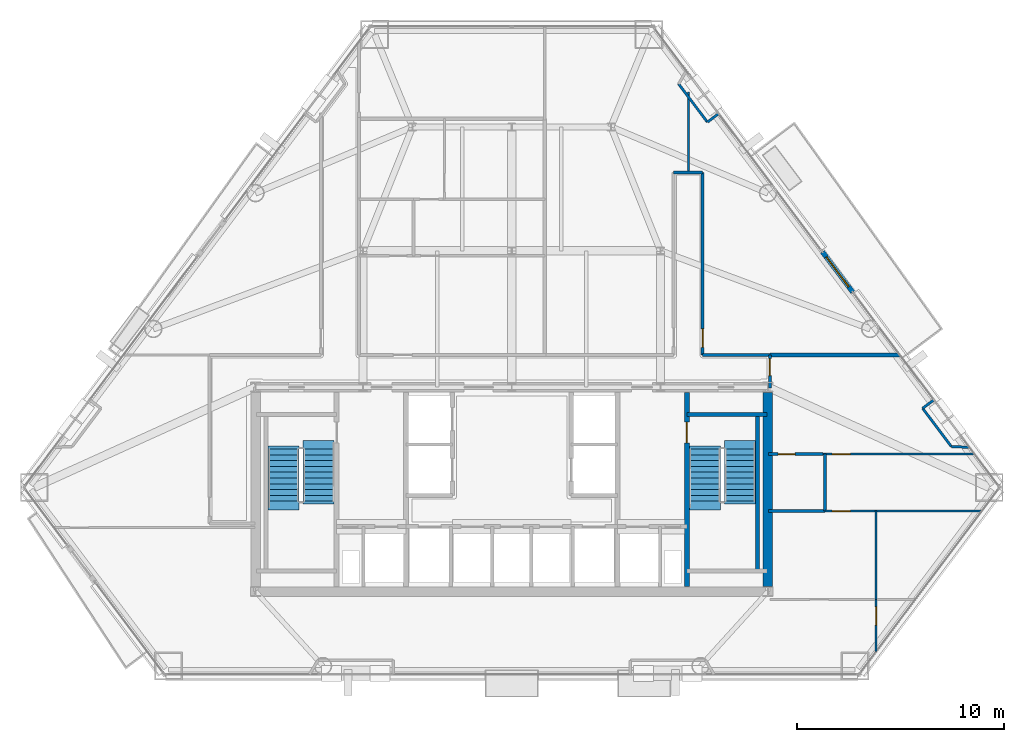
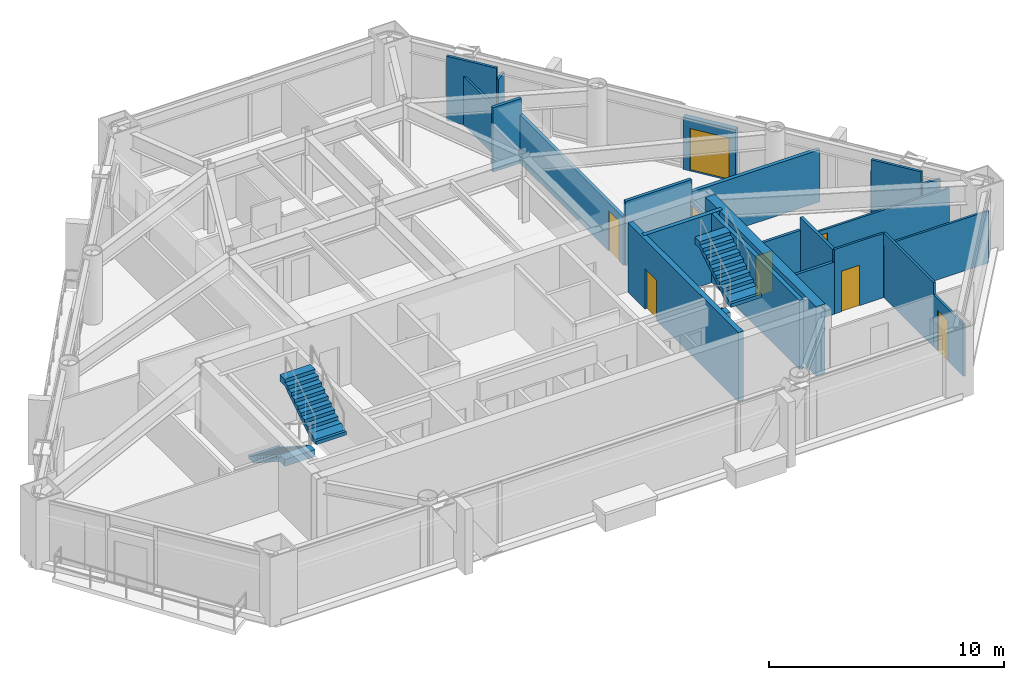
# One storey, part 8 of 10: 24 walls, 8 doors, 4 stair flights, 8 openings, 2 elements without a shape of their own.
"""IFC4 building model written with IfcOpenShell, lengths in metres."""

from ifc_helpers import new_model, si_unit, direction, frame, frame_2d, origin, place, context, subcontext, project, spatial, polyline, rectangle, outline, extrude, material, layer, layer_set, type_object, element, fill, aggregate, save


model = new_model("IFC4")

# Units and contexts
model_context = context("Model", 3, precision=1e-05, world=origin(), true_north=direction((0.0, 1.0)))
body_context = subcontext(model_context, "Body", "Model", "MODEL_VIEW")
ifc_project = project(units=[si_unit("LENGTHUNIT", "METRE"), si_unit("AREAUNIT", "SQUARE_METRE"), si_unit("VOLUMEUNIT", "CUBIC_METRE"), si_unit("PLANEANGLEUNIT", "RADIAN"), si_unit("MASSUNIT", "GRAM", prefix="KILO")], contexts=[model_context])

# Site, building, storey
site_placement = place(None, origin())
site = spatial("IfcSite", under=ifc_project, at=site_placement, CompositionType="ELEMENT")
building_placement = place(site_placement, origin())
building = spatial("IfcBuilding", under=site, at=building_placement, Name="Talgorran Terracotta Tower", CompositionType="ELEMENT")
storey_placement = place(building_placement, frame((0.0, 0.0, 82.800048828125)))
storey = spatial("IfcBuildingStorey", under=building, at=storey_placement, Name="L21", CompositionType="ELEMENT", Elevation=82.800048828125)

# Wall, opening, door
ifc_material_1 = material(Name="Concrete C40/50", Category="concrete")
ifc_layer_1 = layer(ifc_material_1, 0.239990234375, Name="WT_BALCONY_SPAND")
ifc_layer_set_1 = layer_set([ifc_layer_1], Name="Concrete C40/50")
wall_type_1 = type_object("IfcWallType", Name="WT_BALCONY_SPAND", PredefinedType="STANDARD", material=ifc_layer_set_1)
wall_1_placement = place(storey_placement, frame((16.5078125, 0.4052734375, -0.01513671875), z_axis=(0.0, 0.0, 1.0), x_axis=(-0.601008208177, 0.799242850268, 0.0)))
wall_1 = element("IfcWall", 1, at=wall_1_placement, inside=storey, type_object=wall_type_1, Name="WL-L21-BALP-BAL-NE", PredefinedType="STANDARD", context=body_context, shape_type="SweptSolid", body=[
    extrude(rectangle(XDim=2.439697265625, YDim=0.239990234375, at=frame_2d((1.2197265625, 0.0))), origin(), (0.0, 0.0, 1.0), 2.728515625),
])
opening_1_placement = place(wall_1_placement, frame((0.320068359375, 0.0, 0.014892578125)))
opening_1 = element("IfcOpeningElement", 2, at=opening_1_placement, cuts=wall_1, Name="Opening D-BAL-L21-1", PredefinedType="OPENING", context=body_context, shape_type="SweptSolid", body=[
    extrude(rectangle(XDim=1.806048828125, YDim=2.203951171875, at=frame_2d((0.89990234375, 1.10205078125))), frame((0.0, 0.1298828125, 0.0), z_axis=(0.0, -1.0, 0.0), x_axis=(1.0, 0.0, 0.0)), (0.0, 0.0, 1.0), 0.260009765625),
])
ifc_material_2 = material(Name="Thermally Broken Aluminium", Category="aluminium")
door_type_1 = type_object("IfcDoorType", Name="DT_BALC_1800", OperationType="SLIDING_TO_LEFT", PredefinedType="DOOR", material=ifc_material_2)
door_1_placement = place(opening_1_placement, origin())
door_1 = element("IfcDoor", 3, at=door_1_placement, inside=storey, type_object=door_type_1, Name="DR-L21-BAL-BAL-NE", OperationType="SLIDING_TO_LEFT", OverallHeight=2.199951171875, OverallWidth=1.800048828125, PredefinedType="DOOR", context=body_context, shape_type="SweptSolid", body=[
    extrude(rectangle(XDim=1.800048828125, YDim=2.199951171875, at=frame_2d((0.89990234375, 1.10009765625))), frame((0.0, 0.02490234375, 0.0), z_axis=(0.0, -1.0, 0.0), x_axis=(1.0, 0.0, 0.0)), (0.0, 0.0, 1.0), 0.050048828125),
])
fill(opening_1, door_1)

# Walls
ifc_material_3 = material(Name="Concrete C50/60", Category="concrete")
ifc_layer_2 = layer(ifc_material_3, 0.199951171875, Name="WT_CORE_200")
ifc_layer_set_2 = layer_set([ifc_layer_2], Name="Concrete C50/60")
wall_type_2 = type_object("IfcWallType", Name="WT_CORE_200", PredefinedType="SOLIDWALL", material=ifc_layer_set_2)
wall_2_placement = place(storey_placement, frame((8.47998046875, -5.52001953125, 0.0), z_axis=(0.0, 0.0, 1.0), x_axis=(1.0, 0.0, 0.0)))
element("IfcWall", 4, at=wall_2_placement, inside=storey, type_object=wall_type_2, Name="WL-L21-CW-ST2-N", PredefinedType="SOLIDWALL", context=body_context, shape_type="SweptSolid", body=[
    extrude(rectangle(XDim=3.8701171875, YDim=0.199951171875, at=frame_2d((1.93505859375, 0.0))), origin(), (0.0, 0.0, 1.0), 3.599853515625),
])
wall_3_placement = place(storey_placement, frame((11.89990234375, -13.10009765625, 0.0), z_axis=(0.0, 0.0, 1.0), x_axis=(0.0, 1.0, 0.0)))
element("IfcWall", 5, at=wall_3_placement, inside=storey, type_object=wall_type_2, Name="WL-L21-CW-ST2-E", PredefinedType="SOLIDWALL", context=body_context, shape_type="SweptSolid", body=[
    extrude(rectangle(XDim=7.580078125, YDim=0.199951171875, at=frame_2d((3.7900390625, 0.0))), origin(), (0.0, 0.0, 1.0), 3.599853515625),
])

# Wall, opening, door
ifc_layer_3 = layer(ifc_material_3, 0.25, Name="WT_CORE_250")
ifc_layer_set_3 = layer_set([ifc_layer_3], Name="Concrete C50/60")
wall_type_3 = type_object("IfcWallType", Name="WT_CORE_250", PredefinedType="SHEAR", material=ifc_layer_set_3)
wall_4_placement = place(storey_placement, frame((8.47998046875, -13.85009765625, 0.0), z_axis=(0.0, 0.0, 1.0), x_axis=(0.0, 1.0, 0.0)))
wall_4 = element("IfcWall", 6, at=wall_4_placement, inside=storey, type_object=wall_type_3, Name="WL-L21-CW-V-E1", PredefinedType="SHEAR", context=body_context, shape_type="SweptSolid", body=[
    extrude(rectangle(XDim=9.400146484375, YDim=0.25, at=frame_2d((4.7001953125, 0.0))), origin(), (0.0, 0.0, 1.0), 3.599853515625),
])
opening_2_placement = place(wall_4_placement, frame((6.949951171875, 0.0, 0.0)))
opening_2 = element("IfcOpeningElement", 7, at=opening_2_placement, cuts=wall_4, Name="Opening DR-ST02", PredefinedType="OPENING", context=body_context, shape_type="SweptSolid", body=[
    extrude(rectangle(XDim=1.006, YDim=2.10409765625, at=frame_2d((0.5, 1.052001953125))), frame((0.0, 0.135009765625, 0.0), z_axis=(0.0, -1.0, 0.0), x_axis=(1.0, 0.0, 0.0)), (0.0, 0.0, 1.0), 0.27001953125),
])
ifc_material_4 = material(Name="Fire-Rated Pressed Steel", Category="steel")
door_type_2 = type_object("IfcDoorType", Name="DT_FIRE_1000", OperationType="NOTDEFINED", PredefinedType="DOOR", material=ifc_material_4)
door_2_placement = place(opening_2_placement, origin())
door_2 = element("IfcDoor", 8, at=door_2_placement, inside=storey, type_object=door_type_2, Name="DR-ST02", OperationType="SINGLE_SWING_RIGHT", OverallHeight=2.10009765625, OverallWidth=1.0, PredefinedType="DOOR", context=body_context, shape_type="SweptSolid", body=[
    extrude(rectangle(XDim=1.0, YDim=2.10009765625, at=frame_2d((0.5, 1.050048828125))), frame((0.0, 0.02490234375, 0.0), z_axis=(0.0, -1.0, 0.0), x_axis=(1.0, 0.0, 0.0)), (0.0, 0.0, 1.0), 0.050048828125),
])
fill(opening_2, door_2)

# Wall
ifc_material_5 = material(Name="Concrete C65/80", Category="concrete")
ifc_layer_4 = layer(ifc_material_5, 0.449951171875, Name="WT_CORE_EXT")
ifc_layer_set_4 = layer_set([ifc_layer_4], Name="Concrete C65/80")
wall_type_4 = type_object("IfcWallType", Name="WT_CORE_EXT", PredefinedType="SHEAR", material=ifc_layer_set_4)
wall_5_placement = place(storey_placement, frame((12.39990234375, -13.85009765625, 0.0), z_axis=(0.0, 0.0, 1.0), x_axis=(0.0, 1.0, 0.0)))
element("IfcWall", 9, at=wall_5_placement, inside=storey, type_object=wall_type_4, Name="WL-L21-CW-OUT-E", PredefinedType="SHEAR", context=body_context, shape_type="SweptSolid", body=[
    extrude(rectangle(XDim=9.400146484375, YDim=0.449951171875, at=frame_2d((4.7001953125, 0.0))), origin(), (0.0, 0.0, 1.0), 3.599853515625),
])

# Wall, opening, door
ifc_material_6 = material(Name="Fire-Rated Steel Stud Plasterboard", Category="steel")
ifc_layer_5 = layer(ifc_material_6, 0.14990234375, Name="WT_FIRE_150")
ifc_layer_set_5 = layer_set([ifc_layer_5], Name="Fire-Rated Steel Stud Plasterboard")
wall_type_5 = type_object("IfcWallType", Name="WT_FIRE_150", PredefinedType="PARTITIONING", material=ifc_layer_set_5)
wall_6_placement = place(storey_placement, frame((9.239990234375, -2.639892578125, 0.0), z_axis=(0.0, 0.0, 1.0), x_axis=(0.0, 1.0, 0.0)))
wall_6 = element("IfcWall", 10, at=wall_6_placement, inside=storey, type_object=wall_type_5, Name="WL-L21-W-L21-R14", PredefinedType="PARTITIONING", context=body_context, shape_type="SweptSolid", body=[
    extrude(rectangle(XDim=8.83984375, YDim=0.14990234375, at=frame_2d((4.419921875, 0.0))), origin(), (0.0, 0.0, 1.0), 2.509033203125),
])
opening_3_placement = place(wall_6_placement, frame((0.359375, 0.0, 0.0)))
opening_3 = element("IfcOpeningElement", 11, at=opening_3_placement, cuts=wall_6, Name="Opening DR-L21-R15", PredefinedType="OPENING", context=body_context, shape_type="SweptSolid", body=[
    extrude(rectangle(XDim=0.90590234375, YDim=2.10409765625, at=frame_2d((0.449951171875, 1.052001953125))), frame((0.0, 0.0849609375, 0.0), z_axis=(0.0, -1.0, 0.0), x_axis=(1.0, 0.0, 0.0)), (0.0, 0.0, 1.0), 0.169921875),
])
ifc_material_7 = material(Name="Fire-Rated Timber Core", Category="wood")
door_type_3 = type_object("IfcDoorType", Name="DT_FIRE_900", OperationType="NOTDEFINED", PredefinedType="DOOR", material=ifc_material_7)
door_3_placement = place(opening_3_placement, origin())
door_3 = element("IfcDoor", 12, at=door_3_placement, inside=storey, type_object=door_type_3, Name="DR-L21-R15", OperationType="SINGLE_SWING_LEFT", OverallHeight=2.10009765625, OverallWidth=0.89990234375, PredefinedType="DOOR", context=body_context, shape_type="SweptSolid", body=[
    extrude(rectangle(XDim=0.89990234375, YDim=2.10009765625, at=frame_2d((0.449951171875, 1.050048828125))), frame((0.0, 0.02490234375, 0.0), z_axis=(0.0, -1.0, 0.0), x_axis=(1.0, 0.0, 0.0)), (0.0, 0.0, 1.0), 0.050048828125),
])
fill(opening_3, door_3)

# Wall
wall_7_placement = place(storey_placement, frame((9.239990234375, -2.639892578125, 0.0), z_axis=(0.0, 0.0, 1.0), x_axis=(1.0, 0.0, 0.0)))
element("IfcWall", 13, at=wall_7_placement, inside=storey, type_object=wall_type_5, Name="WL-L21-W-L21-R15", PredefinedType="PARTITIONING", context=body_context, shape_type="SweptSolid", body=[
    extrude(rectangle(XDim=3.260009765625, YDim=0.14990234375, at=frame_2d((1.6298828125, 0.0))), origin(), (0.0, 0.0, 1.0), 3.349853515625),
])

# Wall, opening, door
wall_8_placement = place(storey_placement, frame((12.5, -4.239990234375, 0.0), z_axis=(0.0, 0.0, 1.0), x_axis=(0.0, 1.0, 0.0)))
wall_8 = element("IfcWall", 14, at=wall_8_placement, inside=storey, type_object=wall_type_5, Name="WL-L21-W-L21-R03", PredefinedType="PARTITIONING", context=body_context, shape_type="SweptSolid", body=[
    extrude(rectangle(XDim=1.60009765625, YDim=0.14990234375, at=frame_2d((0.800048828125, 0.0))), origin(), (0.0, 0.0, 1.0), 2.324951171875),
])
opening_4_placement = place(wall_8_placement, frame((0.602294921875, 0.0, 0.0)))
opening_4 = element("IfcOpeningElement", 15, at=opening_4_placement, cuts=wall_8, Name="Opening DR-L21-R03", PredefinedType="OPENING", context=body_context, shape_type="SweptSolid", body=[
    extrude(rectangle(XDim=0.826068359375, YDim=2.10409765625, at=frame_2d((0.41015625, 1.052001953125))), frame((0.0, 0.0849609375, 0.0), z_axis=(0.0, -1.0, 0.0), x_axis=(1.0, 0.0, 0.0)), (0.0, 0.0, 1.0), 0.169921875),
])
ifc_material_8 = material(Name="Moisture-Resistant Solid Timber", Category="wood")
door_type_4 = type_object("IfcDoorType", Name="DT_INT_820", OperationType="NOTDEFINED", PredefinedType="DOOR", material=ifc_material_8)
door_4_placement = place(opening_4_placement, origin())
door_4 = element("IfcDoor", 16, at=door_4_placement, inside=storey, type_object=door_type_4, Name="DR-L21-R03", OperationType="SINGLE_SWING_LEFT", OverallHeight=2.10009765625, OverallWidth=0.820068359375, PredefinedType="DOOR", context=body_context, shape_type="SweptSolid", body=[
    extrude(rectangle(XDim=0.820068359375, YDim=2.10009765625, at=frame_2d((0.41015625, 1.050048828125))), frame((0.0, 0.02490234375, 0.0), z_axis=(0.0, -1.0, 0.0), x_axis=(1.0, 0.0, 0.0)), (0.0, 0.0, 1.0), 0.050048828125),
])
fill(opening_4, door_4)

# Walls
wall_9_placement = place(storey_placement, frame((7.840087890625, 6.199951171875, 0.0), z_axis=(0.0, 0.0, 1.0), x_axis=(1.0, 0.0, 0.0)))
element("IfcWall", 17, at=wall_9_placement, inside=storey, type_object=wall_type_5, Name="WL-L21-W-L21-R12", PredefinedType="PARTITIONING", context=body_context, shape_type="SweptSolid", body=[
    extrude(rectangle(XDim=1.39990234375, YDim=0.14990234375, at=frame_2d((0.699951171875, 0.0))), origin(), (0.0, 0.0, 1.0), 3.349853515625),
])
ifc_material_9 = material(Name="Acoustic Stud and Plasterboard")
ifc_layer_6 = layer(ifc_material_9, 0.179931640625, Name="WT_PARTY_200")
ifc_layer_set_6 = layer_set([ifc_layer_6], Name="Acoustic Stud and Plasterboard")
wall_type_6 = type_object("IfcWallType", Name="WT_PARTY_200", PredefinedType="PARTITIONING", material=ifc_layer_set_6)
wall_10_placement = place(storey_placement, frame((12.5, -2.639892578125, 0.0), z_axis=(0.0, 0.0, 1.0), x_axis=(1.0, 0.0, 0.0)))
element("IfcWall", 18, at=wall_10_placement, inside=storey, type_object=wall_type_6, Name="WL-L21-W-L21-R22", PredefinedType="PARTITIONING", context=body_context, shape_type="SweptSolid", body=[
    extrude(rectangle(XDim=6.298095703125, YDim=0.179931640625, at=frame_2d((3.14892578125, 0.0))), origin(), (0.0, 0.0, 1.0), 2.71337890625),
])

# Wall, opening, door
ifc_material_10 = material(Name="Lightweight Steel Stud Partition", Category="steel")
ifc_layer_7 = layer(ifc_material_10, 0.10498046875, Name="WT_PART_110")
ifc_layer_set_7 = layer_set([ifc_layer_7], Name="Lightweight Steel Stud Partition")
wall_type_7 = type_object("IfcWallType", Name="WT_PART_110", PredefinedType="PARTITIONING", material=ifc_layer_set_7)
wall_11_placement = place(storey_placement, frame((15.080078125, -7.43994140625, 0.0), z_axis=(0.0, 0.0, 1.0), x_axis=(1.0, 0.0, 0.0)))
wall_11 = element("IfcWall", 19, at=wall_11_placement, inside=storey, type_object=wall_type_7, Name="WL-L21-W-L21-R21", PredefinedType="PARTITIONING", context=body_context, shape_type="SweptSolid", body=[
    extrude(rectangle(XDim=7.327880859375, YDim=0.10498046875, at=frame_2d((3.6640625, 0.0))), origin(), (0.0, 0.0, 1.0), 2.324951171875),
])
opening_5_placement = place(wall_11_placement, frame((0.439453125, 0.0, 0.0)))
opening_5 = element("IfcOpeningElement", 20, at=opening_5_placement, cuts=wall_11, Name="Opening DR-L21-R05", PredefinedType="OPENING", context=body_context, shape_type="SweptSolid", body=[
    extrude(rectangle(XDim=0.8858828125, YDim=2.10409765625, at=frame_2d((0.43994140625, 1.052001953125))), frame((0.0, 0.0625, 0.0), z_axis=(0.0, -1.0, 0.0), x_axis=(1.0, 0.0, 0.0)), (0.0, 0.0, 1.0), 0.125),
])
ifc_material_11 = material(Name="Solid-Core Painted Timber", Category="wood")
door_type_5 = type_object("IfcDoorType", Name="DT_INT_880", OperationType="NOTDEFINED", PredefinedType="DOOR", material=ifc_material_11)
door_5_placement = place(opening_5_placement, origin())
door_5 = element("IfcDoor", 21, at=door_5_placement, inside=storey, type_object=door_type_5, Name="DR-L21-R05", OperationType="SINGLE_SWING_LEFT", OverallHeight=2.10009765625, OverallWidth=0.8798828125, PredefinedType="DOOR", context=body_context, shape_type="SweptSolid", body=[
    extrude(rectangle(XDim=0.8798828125, YDim=2.10009765625, at=frame_2d((0.43994140625, 1.050048828125))), frame((0.0, 0.02490234375, 0.0), z_axis=(0.0, -1.0, 0.0), x_axis=(1.0, 0.0, 0.0)), (0.0, 0.0, 1.0), 0.050048828125),
])
fill(opening_5, door_5)

# Walls
wall_12_placement = place(storey_placement, frame((17.580078125, -10.199951171875, 0.0), z_axis=(0.0, 0.0, 1.0), x_axis=(1.0, 0.0, 0.0)))
element("IfcWall", 22, at=wall_12_placement, inside=storey, type_object=wall_type_7, Name="WL-L21-W-L21-R26", PredefinedType="PARTITIONING", context=body_context, shape_type="SweptSolid", body=[
    extrude(rectangle(XDim=5.17626953125, YDim=0.10498046875, at=frame_2d((2.588134765625, 0.0))), origin(), (0.0, 0.0, 1.0), 2.71337890625),
])
wall_13_placement = place(storey_placement, frame((17.639892578125, -14.47998046875, 0.0), z_axis=(0.0, 0.0, 1.0), x_axis=(0.0, 1.0, 0.0)))
element("IfcWall", 23, at=wall_13_placement, inside=storey, type_object=wall_type_7, Name="WL-L21-W-L21-R29", PredefinedType="PARTITIONING", context=body_context, shape_type="SweptSolid", body=[
    extrude(rectangle(XDim=4.280029296875, YDim=0.10498046875, at=frame_2d((2.14013671875, 0.0))), origin(), (0.0, 0.0, 1.0), 3.349853515625),
])
wall_14_placement = place(storey_placement, frame((8.56005859375, 6.199951171875, 0.0), z_axis=(0.0, 0.0, 1.0), x_axis=(0.0, 1.0, 0.0)))
element("IfcWall", 24, at=wall_14_placement, inside=storey, type_object=wall_type_7, Name="WL-L21-W-L21-R42", PredefinedType="PARTITIONING", context=body_context, shape_type="SweptSolid", body=[
    extrude(rectangle(XDim=3.880126953125, YDim=0.10498046875, at=frame_2d((1.93994140625, 0.0))), origin(), (0.0, 0.0, 1.0), 2.509033203125),
])

# Wall, opening, door
wall_15_placement = place(storey_placement, frame((15.159912109375, -10.199951171875, 0.0), z_axis=(0.0, 0.0, 1.0), x_axis=(1.0, 0.0, 0.0)))
wall_15 = element("IfcWall", 25, at=wall_15_placement, inside=storey, type_object=wall_type_7, Name="WL-L21-W-L21-R25", PredefinedType="PARTITIONING", context=body_context, shape_type="SweptSolid", body=[
    extrude(rectangle(XDim=2.41796875, YDim=0.10498046875, at=frame_2d((1.208984375, 0.0))), origin(), (0.0, 0.0, 1.0), 3.349853515625),
])
opening_6_placement = place(wall_15_placement, frame((0.356689453125, 0.0, 0.0)))
opening_6 = element("IfcOpeningElement", 26, at=opening_6_placement, cuts=wall_15, Name="Opening DR-L21-R17", PredefinedType="OPENING", context=body_context, shape_type="SweptSolid", body=[
    extrude(rectangle(XDim=0.8858828125, YDim=2.10409765625, at=frame_2d((0.43994140625, 1.052001953125))), frame((0.0, 0.0625, 0.0), z_axis=(0.0, -1.0, 0.0), x_axis=(1.0, 0.0, 0.0)), (0.0, 0.0, 1.0), 0.125),
])
door_6_placement = place(opening_6_placement, origin())
door_6 = element("IfcDoor", 27, at=door_6_placement, inside=storey, type_object=door_type_5, Name="DR-L21-R17", OperationType="SINGLE_SWING_LEFT", OverallHeight=2.10009765625, OverallWidth=0.8798828125, PredefinedType="DOOR", context=body_context, shape_type="SweptSolid", body=[
    extrude(rectangle(XDim=0.8798828125, YDim=2.10009765625, at=frame_2d((0.43994140625, 1.050048828125))), frame((0.0, 0.02490234375, 0.0), z_axis=(0.0, -1.0, 0.0), x_axis=(1.0, 0.0, 0.0)), (0.0, 0.0, 1.0), 0.050048828125),
])
fill(opening_6, door_6)

wall_16_placement = place(storey_placement, frame((17.639892578125, -17.003173828125, 0.0), z_axis=(0.0, 0.0, 1.0), x_axis=(0.0, 1.0, 0.0)))
wall_16 = element("IfcWall", 28, at=wall_16_placement, inside=storey, type_object=wall_type_7, Name="WL-L21-W-L21-R28", PredefinedType="PARTITIONING", context=body_context, shape_type="SweptSolid", body=[
    extrude(rectangle(XDim=2.523193359375, YDim=0.10498046875, at=frame_2d((1.26171875, 0.0))), origin(), (0.0, 0.0, 1.0), 2.71337890625),
])
opening_7_placement = place(wall_16_placement, frame((1.285888671875, 0.0, 0.0)))
opening_7 = element("IfcOpeningElement", 29, at=opening_7_placement, cuts=wall_16, Name="Opening DR-L21-R06", PredefinedType="OPENING", context=body_context, shape_type="SweptSolid", body=[
    extrude(rectangle(XDim=0.8858828125, YDim=2.10409765625, at=frame_2d((0.43994140625, 1.052001953125))), frame((0.0, 0.0625, 0.0), z_axis=(0.0, -1.0, 0.0), x_axis=(1.0, 0.0, 0.0)), (0.0, 0.0, 1.0), 0.125),
])
door_7_placement = place(opening_7_placement, origin())
door_7 = element("IfcDoor", 30, at=door_7_placement, inside=storey, type_object=door_type_5, Name="DR-L21-R06", OperationType="SINGLE_SWING_RIGHT", OverallHeight=2.10009765625, OverallWidth=0.8798828125, PredefinedType="DOOR", context=body_context, shape_type="SweptSolid", body=[
    extrude(rectangle(XDim=0.8798828125, YDim=2.10009765625, at=frame_2d((0.43994140625, 1.050048828125))), frame((0.0, 0.02490234375, 0.0), z_axis=(0.0, -1.0, 0.0), x_axis=(1.0, 0.0, 0.0)), (0.0, 0.0, 1.0), 0.050048828125),
])
fill(opening_7, door_7)

# Walls
ifc_material_12 = material(Name="Insulated Steel Stud Plasterboard", Category="steel")
ifc_layer_8 = layer(ifc_material_12, 0.1201171875, Name="WT_PART_120")
ifc_layer_set_8 = layer_set([ifc_layer_8], Name="Insulated Steel Stud Plasterboard")
wall_type_8 = type_object("IfcWallType", Name="WT_PART_120", PredefinedType="PARTITIONING", material=ifc_layer_set_8)
wall_17_placement = place(storey_placement, frame((9.470703125, 8.631103515625, 0.0), z_axis=(0.0, 0.0, 1.0), x_axis=(-0.60097987879, 0.799264152386, 0.0)))
element("IfcWall", 31, at=wall_17_placement, inside=storey, type_object=wall_type_8, Name="WL-L21-BW-L21-18", PredefinedType="PARTITIONING", context=body_context, shape_type="SweptSolid", body=[
    extrude(rectangle(XDim=2.31103515625, YDim=0.1201171875, at=frame_2d((1.155517578125, 0.0))), origin(), (0.0, 0.0, 1.0), 3.349853515625),
])
wall_18_placement = place(storey_placement, frame((21.28173828125, -7.07421875, 0.0), z_axis=(0.0, 0.0, 1.0), x_axis=(-0.600996618, 0.799251565624, 0.0)))
element("IfcWall", 32, at=wall_18_placement, inside=storey, type_object=wall_type_8, Name="WL-L21-BW-L21-13", PredefinedType="PARTITIONING", context=body_context, shape_type="SweptSolid", body=[
    extrude(rectangle(XDim=2.3115234375, YDim=0.1201171875, at=frame_2d((1.15576171875, 0.0))), origin(), (0.0, 0.0, 1.0), 3.349853515625),
])
wall_19_placement = place(storey_placement, frame((22.151123046875, -7.114990234375, 0.0), z_axis=(0.0, 0.0, 1.0), x_axis=(-0.998902149118, 0.046845453216, 0.0)))
element("IfcWall", 33, at=wall_19_placement, inside=storey, type_object=wall_type_8, Name="WL-L21-BW-L21-12", PredefinedType="PARTITIONING", context=body_context, shape_type="SweptSolid", body=[
    extrude(rectangle(XDim=0.870361328125, YDim=0.1201171875, at=frame_2d((0.43505859375, 0.0))), origin(), (0.0, 0.0, 1.0), 2.71337890625),
])
for number, where, z_axis, x_axis, name in (
    (34, (10.00634765625, 9.03369140625, 0.0), (0.0, 0.0, 1.0), (-0.799387472953, -0.600815835415, 0.0), "WL-L21-BW-L21-17"),
    (35, (19.892578125, -5.226806640625, 0.0), (0.0, 0.0, 1.0), (0.799387472953, 0.600815835415, 0.0), "WL-L21-BW-L21-11"),
):
    element("IfcWall", number, at=place(storey_placement, frame(where, z_axis=z_axis, x_axis=x_axis)), inside=storey, type_object=wall_type_8, Name=name, PredefinedType="PARTITIONING", context=body_context, shape_type="SweptSolid", body=[
        extrude(rectangle(XDim=0.670166015625, YDim=0.1201171875, at=frame_2d((0.3349609375, 0.0))), origin(), (0.0, 0.0, 1.0), 2.71337890625),
    ])

# Wall, opening, door
ifc_material_13 = material(Name="Moisture-Resistant Stud Wall")
ifc_layer_9 = layer(ifc_material_13, 0.135009765625, Name="WT_PART_135")
ifc_layer_set_9 = layer_set([ifc_layer_9], Name="Moisture-Resistant Stud Wall")
wall_type_9 = type_object("IfcWallType", Name="WT_PART_135", PredefinedType="PARTITIONING", material=ifc_layer_set_9)
wall_20_placement = place(storey_placement, frame((12.43994140625, -7.43994140625, 0.0), z_axis=(0.0, 0.0, 1.0), x_axis=(1.0, 0.0, 0.0)))
wall_20 = element("IfcWall", 36, at=wall_20_placement, inside=storey, type_object=wall_type_9, Name="WL-L21-W-L21-R20", PredefinedType="PARTITIONING", context=body_context, shape_type="SweptSolid", body=[
    extrude(rectangle(XDim=2.637939453125, YDim=0.135009765625, at=frame_2d((1.31884765625, 0.0))), origin(), (0.0, 0.0, 1.0), 2.71337890625),
])
opening_8_placement = place(wall_20_placement, frame((0.457763671875, 0.0, 0.0)))
opening_8 = element("IfcOpeningElement", 37, at=opening_8_placement, cuts=wall_20, Name="Opening DR-L21-R04", PredefinedType="OPENING", context=body_context, shape_type="SweptSolid", body=[
    extrude(rectangle(XDim=0.826068359375, YDim=2.10409765625, at=frame_2d((0.41015625, 1.052001953125))), frame((0.0, 0.07763671875, 0.0), z_axis=(0.0, -1.0, 0.0), x_axis=(1.0, 0.0, 0.0)), (0.0, 0.0, 1.0), 0.155029296875),
])
door_8_placement = place(opening_8_placement, origin())
door_8 = element("IfcDoor", 38, at=door_8_placement, inside=storey, type_object=door_type_4, Name="DR-L21-R04", OperationType="SINGLE_SWING_RIGHT", OverallHeight=2.10009765625, OverallWidth=0.820068359375, PredefinedType="DOOR", context=body_context, shape_type="SweptSolid", body=[
    extrude(rectangle(XDim=0.820068359375, YDim=2.10009765625, at=frame_2d((0.41015625, 1.050048828125))), frame((0.0, 0.02490234375, 0.0), z_axis=(0.0, -1.0, 0.0), x_axis=(1.0, 0.0, 0.0)), (0.0, 0.0, 1.0), 0.050048828125),
])
fill(opening_8, door_8)

# Walls
wall_21_placement = place(storey_placement, frame((15.159912109375, -10.199951171875, 0.0), z_axis=(0.0, 0.0, 1.0), x_axis=(0.0, 1.0, 0.0)))
element("IfcWall", 39, at=wall_21_placement, inside=storey, type_object=wall_type_9, Name="WL-L21-W-L21-R23", PredefinedType="PARTITIONING", context=body_context, shape_type="SweptSolid", body=[
    extrude(rectangle(XDim=2.760009765625, YDim=0.135009765625, at=frame_2d((1.3798828125, 0.0))), origin(), (0.0, 0.0, 1.0), 3.349853515625),
])
wall_22_placement = place(storey_placement, frame((12.43994140625, -10.199951171875, 0.0), z_axis=(0.0, 0.0, 1.0), x_axis=(1.0, 0.0, 0.0)))
element("IfcWall", 40, at=wall_22_placement, inside=storey, type_object=wall_type_9, Name="WL-L21-W-L21-R24", PredefinedType="PARTITIONING", context=body_context, shape_type="SweptSolid", body=[
    extrude(rectangle(XDim=2.719970703125, YDim=0.135009765625, at=frame_2d((1.35986328125, 0.0))), origin(), (0.0, 0.0, 1.0), 2.71337890625),
])

# Stair, stair flights
stair_type = type_object("IfcStairType", Name="ST_FIRE_SCISSOR", PredefinedType="HALF_TURN_STAIR", material=ifc_material_1)
stair_1_placement = place(storey_placement, origin())
stair_1 = element("IfcStair", 41, at=stair_1_placement, inside=storey, type_object=stair_type, Name="L21 West Protected Fire Stair ST-01", PredefinedType="HALF_TURN_STAIR")
ifc_layer_10 = layer(ifc_material_1, 0.179931640625, Name="STF_RC_1500")
ifc_layer_set_10 = layer_set([ifc_layer_10], Name="Concrete C40/50")
stair_flight_type = type_object("IfcStairFlightType", Name="STF_RC_1500", PredefinedType="STRAIGHT", material=ifc_layer_set_10)
stair_flight_1_placement = place(storey_placement, frame((-11.050048828125, -7.199951171875, 0.0), z_axis=(0.0, 0.0, 1.0), x_axis=(0.0, -1.0, 0.0)))
stair_flight_1 = element("IfcStairFlight", 42, at=stair_flight_1_placement, type_object=stair_flight_type, Name="ST-01 flight 1", NumberOfRisers=10, NumberOfTreads=9, PredefinedType="STRAIGHT", RiserHeight=0.18, TreadLength=0.28, context=body_context, shape_type="SweptSolid", body=[
    extrude(outline(polyline([(-0.139892578125, 0.0), (-0.139892578125, 0.179931640625), (0.0, 0.179931640625), (0.280029296875, 0.360107421875), (0.56005859375, 0.360107421875), (0.56005859375, 0.5400390625), (0.840087890625, 0.5400390625), (0.840087890625, 0.719970703125), (1.1201171875, 0.719970703125), (1.1201171875, 0.89990234375), (1.39990234375, 0.89990234375), (1.39990234375, 1.080078125), (1.679931640625, 1.080078125), (1.679931640625, 1.260009765625), (1.9599609375, 1.260009765625), (1.9599609375, 1.43994140625), (2.239990234375, 1.43994140625), (2.239990234375, 1.6201171875), (2.52001953125, 1.6201171875), (2.52001953125, 1.800048828125), (2.93994140625, 1.800048828125), (2.93994140625, 1.44189453125), (2.52001953125, 1.44189453125), (0.277099609375, 0.0), (-0.139892578125, 0.0)])), frame((0.0, 0.75, 0.0), z_axis=(0.0, -1.0, 0.0), x_axis=(1.0, 0.0, 0.0)), (0.0, 0.0, 1.0), 1.5),
])
stair_flight_2_placement = place(storey_placement, frame((-9.35009765625, -9.719970703125, 1.800048828125), z_axis=(0.0, 0.0, 1.0), x_axis=(0.0, 1.0, 0.0)))
stair_flight_2 = element("IfcStairFlight", 43, at=stair_flight_2_placement, type_object=stair_flight_type, Name="ST-01 flight 2", NumberOfRisers=10, NumberOfTreads=9, PredefinedType="STRAIGHT", RiserHeight=0.18, TreadLength=0.28, context=body_context, shape_type="SweptSolid", body=[
    extrude(outline(polyline([(-0.139892578125, 0.0), (-0.139892578125, 0.179931640625), (0.0, 0.179931640625), (0.280029296875, 0.360107421875), (0.56005859375, 0.360107421875), (0.56005859375, 0.5400390625), (0.840087890625, 0.5400390625), (0.840087890625, 0.719970703125), (1.1201171875, 0.719970703125), (1.1201171875, 0.89990234375), (1.39990234375, 0.89990234375), (1.39990234375, 1.080078125), (1.679931640625, 1.080078125), (1.679931640625, 1.260009765625), (1.9599609375, 1.260009765625), (1.9599609375, 1.43994140625), (2.239990234375, 1.43994140625), (2.239990234375, 1.6201171875), (2.52001953125, 1.6201171875), (2.52001953125, 1.800048828125), (2.93994140625, 1.800048828125), (2.93994140625, 1.44189453125), (2.52001953125, 1.44189453125), (0.277099609375, 0.0), (-0.139892578125, 0.0)])), frame((0.0, 0.75, 0.0), z_axis=(0.0, -1.0, 0.0), x_axis=(1.0, 0.0, 0.0)), (0.0, 0.0, 1.0), 1.5),
])
aggregate(stair_1, [stair_flight_1, stair_flight_2])

stair_2_placement = place(storey_placement, origin())
stair_2 = element("IfcStair", 44, at=stair_2_placement, inside=storey, type_object=stair_type, Name="L21 East Protected Fire Stair ST-02", PredefinedType="HALF_TURN_STAIR")
stair_flight_3_placement = place(storey_placement, frame((9.35009765625, -7.199951171875, 0.0), z_axis=(0.0, 0.0, 1.0), x_axis=(0.0, -1.0, 0.0)))
stair_flight_3 = element("IfcStairFlight", 45, at=stair_flight_3_placement, type_object=stair_flight_type, Name="ST-02 flight 1", NumberOfRisers=10, NumberOfTreads=9, PredefinedType="STRAIGHT", RiserHeight=0.18, TreadLength=0.28, context=body_context, shape_type="SweptSolid", body=[
    extrude(outline(polyline([(-0.139892578125, 0.0), (-0.139892578125, 0.179931640625), (0.0, 0.179931640625), (0.280029296875, 0.360107421875), (0.56005859375, 0.360107421875), (0.56005859375, 0.5400390625), (0.840087890625, 0.5400390625), (0.840087890625, 0.719970703125), (1.1201171875, 0.719970703125), (1.1201171875, 0.89990234375), (1.39990234375, 0.89990234375), (1.39990234375, 1.080078125), (1.679931640625, 1.080078125), (1.679931640625, 1.260009765625), (1.9599609375, 1.260009765625), (1.9599609375, 1.43994140625), (2.239990234375, 1.43994140625), (2.239990234375, 1.6201171875), (2.52001953125, 1.6201171875), (2.52001953125, 1.800048828125), (2.93994140625, 1.800048828125), (2.93994140625, 1.44189453125), (2.52001953125, 1.44189453125), (0.277099609375, 0.0), (-0.139892578125, 0.0)])), frame((0.0, 0.75, 0.0), z_axis=(0.0, -1.0, 0.0), x_axis=(1.0, 0.0, 0.0)), (0.0, 0.0, 1.0), 1.5),
])
stair_flight_4_placement = place(storey_placement, frame((11.050048828125, -9.719970703125, 1.800048828125), z_axis=(0.0, 0.0, 1.0), x_axis=(0.0, 1.0, 0.0)))
stair_flight_4 = element("IfcStairFlight", 46, at=stair_flight_4_placement, type_object=stair_flight_type, Name="ST-02 flight 2", NumberOfRisers=10, NumberOfTreads=9, PredefinedType="STRAIGHT", RiserHeight=0.18, TreadLength=0.28, context=body_context, shape_type="SweptSolid", body=[
    extrude(outline(polyline([(-0.139892578125, 0.0), (-0.139892578125, 0.179931640625), (0.0, 0.179931640625), (0.280029296875, 0.360107421875), (0.56005859375, 0.360107421875), (0.56005859375, 0.5400390625), (0.840087890625, 0.5400390625), (0.840087890625, 0.719970703125), (1.1201171875, 0.719970703125), (1.1201171875, 0.89990234375), (1.39990234375, 0.89990234375), (1.39990234375, 1.080078125), (1.679931640625, 1.080078125), (1.679931640625, 1.260009765625), (1.9599609375, 1.260009765625), (1.9599609375, 1.43994140625), (2.239990234375, 1.43994140625), (2.239990234375, 1.6201171875), (2.52001953125, 1.6201171875), (2.52001953125, 1.800048828125), (2.93994140625, 1.800048828125), (2.93994140625, 1.44189453125), (2.52001953125, 1.44189453125), (0.277099609375, 0.0), (-0.139892578125, 0.0)])), frame((0.0, 0.75, 0.0), z_axis=(0.0, -1.0, 0.0), x_axis=(1.0, 0.0, 0.0)), (0.0, 0.0, 1.0), 1.5),
])
aggregate(stair_2, [stair_flight_3, stair_flight_4])

save(model, "model.ifc")
